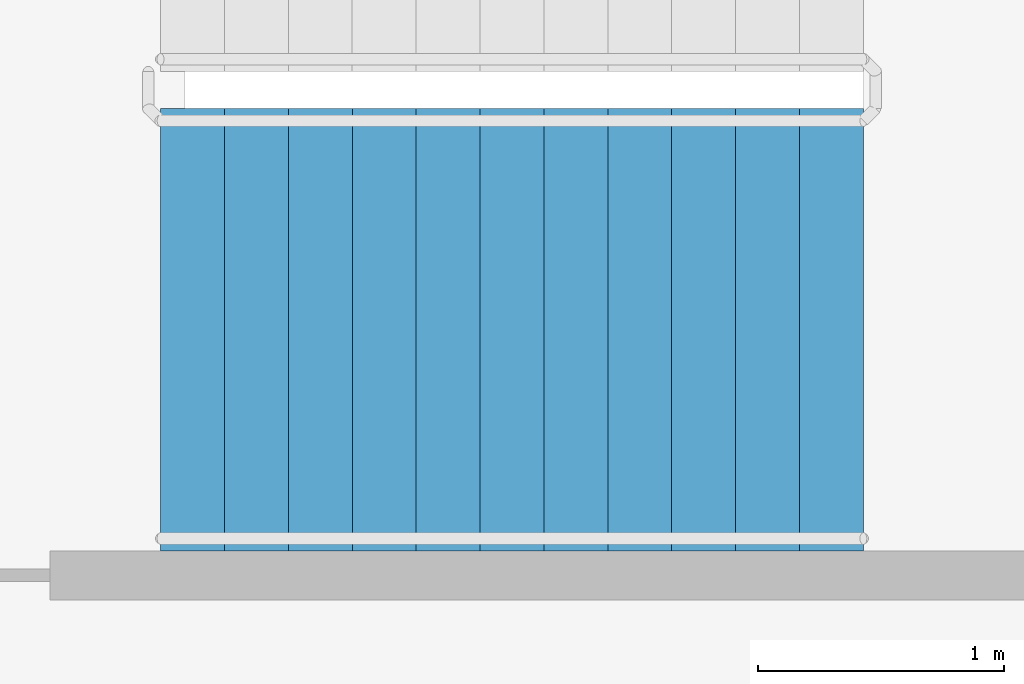
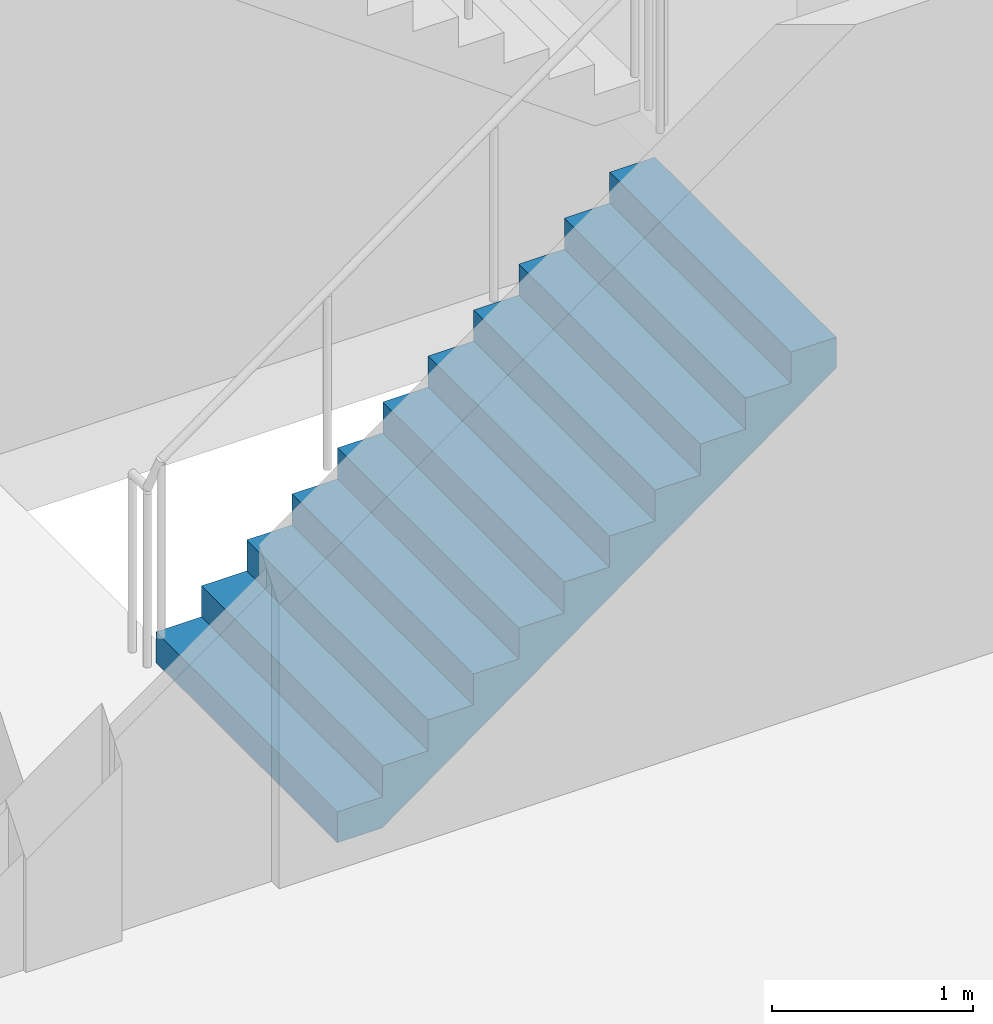
# One storey, part 28 of 49: 1 stair flight, 1 element without a shape of its own.
"""IFC4 building model written with IfcOpenShell, lengths in metres."""

from ifc_helpers import new_model, si_unit, direction, frame, origin, place, context, subcontext, project, spatial, faceted_brep, material, type_object, element, aggregate, save


model = new_model("IFC4")

# Units and contexts
model_context = context("Model", 3, precision=1e-05, world=origin(), true_north=direction((0.0, 1.0)))
body_context = subcontext(model_context, "Body", "Model", "MODEL_VIEW")
ifc_project = project(units=[si_unit("LENGTHUNIT", "METRE"), si_unit("AREAUNIT", "SQUARE_METRE"), si_unit("VOLUMEUNIT", "CUBIC_METRE"), si_unit("PLANEANGLEUNIT", "RADIAN"), si_unit("MASSUNIT", "GRAM", prefix="KILO")], contexts=[model_context])

# Site, building, storey
site_placement = place(None, origin())
site = spatial("IfcSite", under=ifc_project, at=site_placement, CompositionType="ELEMENT")
building_placement = place(site_placement, origin())
building = spatial("IfcBuilding", under=site, at=building_placement, Name="Ipe Terrace Towers", CompositionType="ELEMENT")
storey_placement = place(building_placement, frame((0.0, 0.0, 11.0)))
storey = spatial("IfcBuildingStorey", under=building, at=storey_placement, Name="L02", CompositionType="ELEMENT", Elevation=11.0)

# Stair, stair flight
ifc_material_1 = material(Name="Concrete C30/37", Category="concrete")
stair_type = type_object("IfcStairType", Name="Protected exit stair", PredefinedType="HALF_TURN_STAIR", material=ifc_material_1)
stair_placement = place(storey_placement, origin())
stair = element("IfcStair", 1, at=stair_placement, inside=storey, type_object=stair_type, Name="L02 Podium exit stair PS7", PredefinedType="HALF_TURN_STAIR")
ifc_material_2 = material(Name="Concrete C30/37", Category="concrete")
stair_flight_type = type_object("IfcStairFlightType", Name="Exit stair flight 1800", PredefinedType="STRAIGHT", material=ifc_material_2)
stair_flight_placement = place(storey_placement, frame((-66.18994140625, 2.5, 0.0), z_axis=(0.0, 0.0, 1.0), x_axis=(1.0, 0.0, 0.0)))
stair_flight = element("IfcStairFlight", 2, at=stair_flight_placement, type_object=stair_flight_type, Name="PS7 flight 1", NumberOfRisers=12, NumberOfTreads=11, PredefinedType="STRAIGHT", RiserHeight=0.1875, TreadLength=0.26, context=body_context, shape_type="Brep", body=[
    faceted_brep([(0.25634765625, -0.89990234375, 0.0), (2.860107421875, -0.89990234375, 1.877685546875), (2.860107421875, -0.89990234375, 2.0625), (2.60009765625, -0.89990234375, 2.0625), (2.60009765625, -0.89990234375, 1.875), (2.340087890625, -0.89990234375, 1.875), (2.340087890625, -0.89990234375, 1.6875), (2.080078125, -0.89990234375, 1.6875), (2.080078125, -0.89990234375, 1.5), (1.820068359375, -0.89990234375, 1.5), (1.820068359375, -0.89990234375, 1.3125), (1.56005859375, -0.89990234375, 1.3125), (1.56005859375, -0.89990234375, 1.125), (1.300048828125, -0.89990234375, 1.125), (1.300048828125, -0.89990234375, 0.9375), (1.0400390625, -0.89990234375, 0.9375), (1.0400390625, -0.89990234375, 0.75), (0.780029296875, -0.89990234375, 0.75), (0.780029296875, -0.89990234375, 0.5625), (0.52001953125, -0.89990234375, 0.5625), (0.52001953125, -0.89990234375, 0.375), (0.260009765625, -0.89990234375, 0.375), (0.260009765625, -0.89990234375, 0.1875), (0.0, -0.89990234375, 0.1875), (0.0, -0.89990234375, 0.0), (0.0, 0.89990234375, 0.0), (0.0, 0.89990234375, 0.1875), (0.260009765625, 0.89990234375, 0.1875), (0.260009765625, 0.89990234375, 0.375), (0.52001953125, 0.89990234375, 0.375), (0.52001953125, 0.89990234375, 0.5625), (0.780029296875, 0.89990234375, 0.5625), (0.780029296875, 0.89990234375, 0.75), (1.0400390625, 0.89990234375, 0.75), (1.0400390625, 0.89990234375, 0.9375), (1.300048828125, 0.89990234375, 0.9375), (1.300048828125, 0.89990234375, 1.125), (1.56005859375, 0.89990234375, 1.125), (1.56005859375, 0.89990234375, 1.3125), (1.820068359375, 0.89990234375, 1.3125), (1.820068359375, 0.89990234375, 1.5), (2.080078125, 0.89990234375, 1.5), (2.080078125, 0.89990234375, 1.6875), (2.340087890625, 0.89990234375, 1.6875), (2.340087890625, 0.89990234375, 1.875), (2.60009765625, 0.89990234375, 1.875), (2.60009765625, 0.89990234375, 2.0625), (2.860107421875, 0.89990234375, 2.0625), (2.860107421875, 0.89990234375, 1.877685546875), (0.25634765625, 0.89990234375, 0.0), (0.0, -0.300048828125, 0.1875), (0.0, -0.1201171875, 0.1875), (0.0, -0.06005859375, 0.1875), (0.0, -0.030029296875, 0.1875), (0.0, -0.010009765625, 0.1875), (0.0, 0.0, 0.1875), (0.0, 0.010009765625, 0.1875), (0.0, 0.030029296875, 0.1875), (0.0, 0.06005859375, 0.1875), (0.0, 0.1201171875, 0.1875), (0.0, 0.300048828125, 0.1875), (0.0, 0.300048828125, 0.0), (0.0, 0.1201171875, 0.0), (0.0, 0.06005859375, 0.0), (0.0, 0.030029296875, 0.0), (0.0, 0.010009765625, 0.0), (0.0, 0.0, 0.0), (0.0, -0.010009765625, 0.0), (0.0, -0.030029296875, 0.0), (0.0, -0.06005859375, 0.0), (0.0, -0.1201171875, 0.0), (0.0, -0.300048828125, 0.0), (0.260009765625, -0.300048828125, 0.1875), (0.260009765625, -0.1201171875, 0.1875), (0.260009765625, -0.06005859375, 0.1875), (0.260009765625, -0.030029296875, 0.1875), (0.260009765625, -0.010009765625, 0.1875), (0.260009765625, 0.0, 0.1875), (0.260009765625, 0.010009765625, 0.1875), (0.260009765625, 0.030029296875, 0.1875), (0.260009765625, 0.06005859375, 0.1875), (0.260009765625, 0.1201171875, 0.1875), (0.260009765625, 0.300048828125, 0.1875), (0.260009765625, -0.300048828125, 0.375), (0.260009765625, -0.1201171875, 0.375), (0.260009765625, -0.06005859375, 0.375), (0.260009765625, -0.030029296875, 0.375), (0.260009765625, -0.010009765625, 0.375), (0.260009765625, 0.0, 0.375), (0.260009765625, 0.010009765625, 0.375), (0.260009765625, 0.030029296875, 0.375), (0.260009765625, 0.06005859375, 0.375), (0.260009765625, 0.1201171875, 0.375), (0.260009765625, 0.300048828125, 0.375), (0.52001953125, -0.300048828125, 0.375), (0.52001953125, -0.1201171875, 0.375), (0.52001953125, -0.06005859375, 0.375), (0.52001953125, -0.030029296875, 0.375), (0.52001953125, -0.010009765625, 0.375), (0.52001953125, 0.0, 0.375), (0.52001953125, 0.010009765625, 0.375), (0.52001953125, 0.030029296875, 0.375), (0.52001953125, 0.06005859375, 0.375), (0.52001953125, 0.1201171875, 0.375), (0.52001953125, 0.300048828125, 0.375), (0.52001953125, -0.300048828125, 0.5625), (0.52001953125, -0.1201171875, 0.5625), (0.52001953125, -0.06005859375, 0.5625), (0.52001953125, -0.030029296875, 0.5625), (0.52001953125, -0.010009765625, 0.5625), (0.52001953125, 0.0, 0.5625), (0.52001953125, 0.010009765625, 0.5625), (0.52001953125, 0.030029296875, 0.5625), (0.52001953125, 0.06005859375, 0.5625), (0.52001953125, 0.1201171875, 0.5625), (0.52001953125, 0.300048828125, 0.5625), (0.780029296875, -0.300048828125, 0.5625), (0.780029296875, -0.1201171875, 0.5625), (0.780029296875, -0.06005859375, 0.5625), (0.780029296875, -0.030029296875, 0.5625), (0.780029296875, -0.010009765625, 0.5625), (0.780029296875, 0.0, 0.5625), (0.780029296875, 0.010009765625, 0.5625), (0.780029296875, 0.030029296875, 0.5625), (0.780029296875, 0.06005859375, 0.5625), (0.780029296875, 0.1201171875, 0.5625), (0.780029296875, 0.300048828125, 0.5625), (0.780029296875, -0.300048828125, 0.75), (0.780029296875, -0.1201171875, 0.75), (0.780029296875, -0.06005859375, 0.75), (0.780029296875, -0.030029296875, 0.75), (0.780029296875, -0.010009765625, 0.75), (0.780029296875, 0.0, 0.75), (0.780029296875, 0.010009765625, 0.75), (0.780029296875, 0.030029296875, 0.75), (0.780029296875, 0.06005859375, 0.75), (0.780029296875, 0.1201171875, 0.75), (0.780029296875, 0.300048828125, 0.75), (1.0400390625, -0.300048828125, 0.75), (1.0400390625, -0.1201171875, 0.75), (1.0400390625, -0.06005859375, 0.75), (1.0400390625, -0.030029296875, 0.75), (1.0400390625, -0.010009765625, 0.75), (1.0400390625, 0.0, 0.75), (1.0400390625, 0.010009765625, 0.75), (1.0400390625, 0.030029296875, 0.75), (1.0400390625, 0.06005859375, 0.75), (1.0400390625, 0.1201171875, 0.75), (1.0400390625, 0.300048828125, 0.75), (1.0400390625, -0.300048828125, 0.9375), (1.0400390625, -0.1201171875, 0.9375), (1.0400390625, -0.06005859375, 0.9375), (1.0400390625, -0.030029296875, 0.9375), (1.0400390625, -0.010009765625, 0.9375), (1.0400390625, 0.0, 0.9375), (1.0400390625, 0.010009765625, 0.9375), (1.0400390625, 0.030029296875, 0.9375), (1.0400390625, 0.06005859375, 0.9375), (1.0400390625, 0.1201171875, 0.9375), (1.0400390625, 0.300048828125, 0.9375), (1.300048828125, -0.300048828125, 0.9375), (1.300048828125, -0.1201171875, 0.9375), (1.300048828125, -0.06005859375, 0.9375), (1.300048828125, -0.030029296875, 0.9375), (1.300048828125, -0.010009765625, 0.9375), (1.300048828125, 0.0, 0.9375), (1.300048828125, 0.010009765625, 0.9375), (1.300048828125, 0.030029296875, 0.9375), (1.300048828125, 0.06005859375, 0.9375), (1.300048828125, 0.1201171875, 0.9375), (1.300048828125, 0.300048828125, 0.9375), (1.300048828125, -0.300048828125, 1.125), (1.300048828125, -0.1201171875, 1.125), (1.300048828125, -0.06005859375, 1.125), (1.300048828125, -0.030029296875, 1.125), (1.300048828125, -0.010009765625, 1.125), (1.300048828125, 0.0, 1.125), (1.300048828125, 0.010009765625, 1.125), (1.300048828125, 0.030029296875, 1.125), (1.300048828125, 0.06005859375, 1.125), (1.300048828125, 0.1201171875, 1.125), (1.300048828125, 0.300048828125, 1.125), (1.56005859375, -0.300048828125, 1.125), (1.56005859375, -0.1201171875, 1.125), (1.56005859375, -0.06005859375, 1.125), (1.56005859375, -0.030029296875, 1.125), (1.56005859375, -0.010009765625, 1.125), (1.56005859375, 0.0, 1.125), (1.56005859375, 0.010009765625, 1.125), (1.56005859375, 0.030029296875, 1.125), (1.56005859375, 0.06005859375, 1.125), (1.56005859375, 0.1201171875, 1.125), (1.56005859375, 0.300048828125, 1.125), (1.56005859375, -0.300048828125, 1.3125), (1.56005859375, -0.1201171875, 1.3125), (1.56005859375, -0.06005859375, 1.3125), (1.56005859375, -0.030029296875, 1.3125), (1.56005859375, -0.010009765625, 1.3125), (1.56005859375, 0.0, 1.3125), (1.56005859375, 0.010009765625, 1.3125), (1.56005859375, 0.030029296875, 1.3125), (1.56005859375, 0.06005859375, 1.3125), (1.56005859375, 0.1201171875, 1.3125), (1.56005859375, 0.300048828125, 1.3125), (1.820068359375, -0.300048828125, 1.3125), (1.820068359375, -0.1201171875, 1.3125), (1.820068359375, -0.06005859375, 1.3125), (1.820068359375, -0.030029296875, 1.3125), (1.820068359375, -0.010009765625, 1.3125), (1.820068359375, 0.0, 1.3125), (1.820068359375, 0.010009765625, 1.3125), (1.820068359375, 0.030029296875, 1.3125), (1.820068359375, 0.06005859375, 1.3125), (1.820068359375, 0.1201171875, 1.3125), (1.820068359375, 0.300048828125, 1.3125), (1.820068359375, -0.300048828125, 1.5), (1.820068359375, -0.1201171875, 1.5), (1.820068359375, -0.06005859375, 1.5), (1.820068359375, -0.030029296875, 1.5), (1.820068359375, -0.010009765625, 1.5), (1.820068359375, 0.0, 1.5), (1.820068359375, 0.010009765625, 1.5), (1.820068359375, 0.030029296875, 1.5), (1.820068359375, 0.06005859375, 1.5), (1.820068359375, 0.1201171875, 1.5), (1.820068359375, 0.300048828125, 1.5), (2.080078125, -0.300048828125, 1.5), (2.080078125, -0.1201171875, 1.5), (2.080078125, -0.06005859375, 1.5), (2.080078125, -0.030029296875, 1.5), (2.080078125, -0.010009765625, 1.5), (2.080078125, 0.0, 1.5), (2.080078125, 0.010009765625, 1.5), (2.080078125, 0.030029296875, 1.5), (2.080078125, 0.06005859375, 1.5), (2.080078125, 0.1201171875, 1.5), (2.080078125, 0.300048828125, 1.5), (2.080078125, -0.300048828125, 1.6875), (2.080078125, -0.1201171875, 1.6875), (2.080078125, -0.06005859375, 1.6875), (2.080078125, -0.030029296875, 1.6875), (2.080078125, -0.010009765625, 1.6875), (2.080078125, 0.0, 1.6875), (2.080078125, 0.010009765625, 1.6875), (2.080078125, 0.030029296875, 1.6875), (2.080078125, 0.06005859375, 1.6875), (2.080078125, 0.1201171875, 1.6875), (2.080078125, 0.300048828125, 1.6875), (2.340087890625, -0.300048828125, 1.6875), (2.340087890625, -0.1201171875, 1.6875), (2.340087890625, -0.06005859375, 1.6875), (2.340087890625, -0.030029296875, 1.6875), (2.340087890625, -0.010009765625, 1.6875), (2.340087890625, 0.0, 1.6875), (2.340087890625, 0.010009765625, 1.6875), (2.340087890625, 0.030029296875, 1.6875), (2.340087890625, 0.06005859375, 1.6875), (2.340087890625, 0.1201171875, 1.6875), (2.340087890625, 0.300048828125, 1.6875), (2.340087890625, -0.300048828125, 1.875), (2.340087890625, -0.1201171875, 1.875), (2.340087890625, -0.06005859375, 1.875), (2.340087890625, -0.030029296875, 1.875), (2.340087890625, -0.010009765625, 1.875), (2.340087890625, 0.0, 1.875), (2.340087890625, 0.010009765625, 1.875), (2.340087890625, 0.030029296875, 1.875), (2.340087890625, 0.06005859375, 1.875), (2.340087890625, 0.1201171875, 1.875), (2.340087890625, 0.300048828125, 1.875), (2.60009765625, -0.300048828125, 1.875), (2.60009765625, -0.1201171875, 1.875), (2.60009765625, -0.06005859375, 1.875), (2.60009765625, -0.030029296875, 1.875), (2.60009765625, -0.010009765625, 1.875), (2.60009765625, 0.0, 1.875), (2.60009765625, 0.010009765625, 1.875), (2.60009765625, 0.030029296875, 1.875), (2.60009765625, 0.06005859375, 1.875), (2.60009765625, 0.1201171875, 1.875), (2.60009765625, 0.300048828125, 1.875), (2.60009765625, -0.300048828125, 2.0625), (2.60009765625, -0.1201171875, 2.0625), (2.60009765625, -0.06005859375, 2.0625), (2.60009765625, -0.030029296875, 2.0625), (2.60009765625, -0.010009765625, 2.0625), (2.60009765625, 0.0, 2.0625), (2.60009765625, 0.010009765625, 2.0625), (2.60009765625, 0.030029296875, 2.0625), (2.60009765625, 0.06005859375, 2.0625), (2.60009765625, 0.1201171875, 2.0625), (2.60009765625, 0.300048828125, 2.0625), (2.860107421875, -0.300048828125, 2.0625), (2.860107421875, -0.1201171875, 2.0625), (2.860107421875, -0.06005859375, 2.0625), (2.860107421875, -0.030029296875, 2.0625), (2.860107421875, -0.010009765625, 2.0625), (2.860107421875, 0.0, 2.0625), (2.860107421875, 0.010009765625, 2.0625), (2.860107421875, 0.030029296875, 2.0625), (2.860107421875, 0.06005859375, 2.0625), (2.860107421875, 0.1201171875, 2.0625), (2.860107421875, 0.300048828125, 2.0625), (2.860107421875, -0.300048828125, 1.877685546875), (2.860107421875, -0.1201171875, 1.877685546875), (2.860107421875, -0.06005859375, 1.877685546875), (2.860107421875, -0.030029296875, 1.877685546875), (2.860107421875, -0.010009765625, 1.877685546875), (2.860107421875, 0.0, 1.877685546875), (2.860107421875, 0.010009765625, 1.877685546875), (2.860107421875, 0.030029296875, 1.877685546875), (2.860107421875, 0.06005859375, 1.877685546875), (2.860107421875, 0.1201171875, 1.877685546875), (2.860107421875, 0.300048828125, 1.877685546875), (0.25634765625, -0.300048828125, 0.0), (0.25634765625, -0.1201171875, 0.0), (0.25634765625, -0.06005859375, 0.0), (0.25634765625, -0.030029296875, 0.0), (0.25634765625, -0.010009765625, 0.0), (0.25634765625, 0.0, 0.0), (0.25634765625, 0.010009765625, 0.0), (0.25634765625, 0.030029296875, 0.0), (0.25634765625, 0.06005859375, 0.0), (0.25634765625, 0.1201171875, 0.0), (0.25634765625, 0.300048828125, 0.0)], [[[0, 1, 2, 3, 4, 5, 6, 7, 8, 9, 10, 11, 12, 13, 14, 15, 16, 17, 18, 19, 20, 21, 22, 23, 24]], [[25, 26, 27, 28, 29, 30, 31, 32, 33, 34, 35, 36, 37, 38, 39, 40, 41, 42, 43, 44, 45, 46, 47, 48, 49]], [[23, 50, 51, 52, 53, 54, 55, 56, 57, 58, 59, 60, 26, 25, 61, 62, 63, 64, 65, 66, 67, 68, 69, 70, 71, 24]], [[22, 72, 73, 74, 75, 76, 77, 78, 79, 80, 81, 82, 27, 26, 60, 59, 58, 57, 56, 55, 54, 53, 52, 51, 50, 23]], [[21, 83, 84, 85, 86, 87, 88, 89, 90, 91, 92, 93, 28, 27, 82, 81, 80, 79, 78, 77, 76, 75, 74, 73, 72, 22]], [[20, 94, 95, 96, 97, 98, 99, 100, 101, 102, 103, 104, 29, 28, 93, 92, 91, 90, 89, 88, 87, 86, 85, 84, 83, 21]], [[19, 105, 106, 107, 108, 109, 110, 111, 112, 113, 114, 115, 30, 29, 104, 103, 102, 101, 100, 99, 98, 97, 96, 95, 94, 20]], [[18, 116, 117, 118, 119, 120, 121, 122, 123, 124, 125, 126, 31, 30, 115, 114, 113, 112, 111, 110, 109, 108, 107, 106, 105, 19]], [[17, 127, 128, 129, 130, 131, 132, 133, 134, 135, 136, 137, 32, 31, 126, 125, 124, 123, 122, 121, 120, 119, 118, 117, 116, 18]], [[16, 138, 139, 140, 141, 142, 143, 144, 145, 146, 147, 148, 33, 32, 137, 136, 135, 134, 133, 132, 131, 130, 129, 128, 127, 17]], [[15, 149, 150, 151, 152, 153, 154, 155, 156, 157, 158, 159, 34, 33, 148, 147, 146, 145, 144, 143, 142, 141, 140, 139, 138, 16]], [[14, 160, 161, 162, 163, 164, 165, 166, 167, 168, 169, 170, 35, 34, 159, 158, 157, 156, 155, 154, 153, 152, 151, 150, 149, 15]], [[13, 171, 172, 173, 174, 175, 176, 177, 178, 179, 180, 181, 36, 35, 170, 169, 168, 167, 166, 165, 164, 163, 162, 161, 160, 14]], [[12, 182, 183, 184, 185, 186, 187, 188, 189, 190, 191, 192, 37, 36, 181, 180, 179, 178, 177, 176, 175, 174, 173, 172, 171, 13]], [[11, 193, 194, 195, 196, 197, 198, 199, 200, 201, 202, 203, 38, 37, 192, 191, 190, 189, 188, 187, 186, 185, 184, 183, 182, 12]], [[10, 204, 205, 206, 207, 208, 209, 210, 211, 212, 213, 214, 39, 38, 203, 202, 201, 200, 199, 198, 197, 196, 195, 194, 193, 11]], [[9, 215, 216, 217, 218, 219, 220, 221, 222, 223, 224, 225, 40, 39, 214, 213, 212, 211, 210, 209, 208, 207, 206, 205, 204, 10]], [[8, 226, 227, 228, 229, 230, 231, 232, 233, 234, 235, 236, 41, 40, 225, 224, 223, 222, 221, 220, 219, 218, 217, 216, 215, 9]], [[7, 237, 238, 239, 240, 241, 242, 243, 244, 245, 246, 247, 42, 41, 236, 235, 234, 233, 232, 231, 230, 229, 228, 227, 226, 8]], [[6, 248, 249, 250, 251, 252, 253, 254, 255, 256, 257, 258, 43, 42, 247, 246, 245, 244, 243, 242, 241, 240, 239, 238, 237, 7]], [[5, 259, 260, 261, 262, 263, 264, 265, 266, 267, 268, 269, 44, 43, 258, 257, 256, 255, 254, 253, 252, 251, 250, 249, 248, 6]], [[4, 270, 271, 272, 273, 274, 275, 276, 277, 278, 279, 280, 45, 44, 269, 268, 267, 266, 265, 264, 263, 262, 261, 260, 259, 5]], [[3, 281, 282, 283, 284, 285, 286, 287, 288, 289, 290, 291, 46, 45, 280, 279, 278, 277, 276, 275, 274, 273, 272, 271, 270, 4]], [[2, 292, 293, 294, 295, 296, 297, 298, 299, 300, 301, 302, 47, 46, 291, 290, 289, 288, 287, 286, 285, 284, 283, 282, 281, 3]], [[1, 303, 304, 305, 306, 307, 308, 309, 310, 311, 312, 313, 48, 47, 302, 301, 300, 299, 298, 297, 296, 295, 294, 293, 292, 2]], [[0, 314, 315, 316, 317, 318, 319, 320, 321, 322, 323, 324, 49, 48, 313, 312, 311, 310, 309, 308, 307, 306, 305, 304, 303, 1]], [[24, 71, 70, 69, 68, 67, 66, 65, 64, 63, 62, 61, 25, 49, 324, 323, 322, 321, 320, 319, 318, 317, 316, 315, 314, 0]]]),
])
aggregate(stair, [stair_flight])

save(model, "model.ifc")
